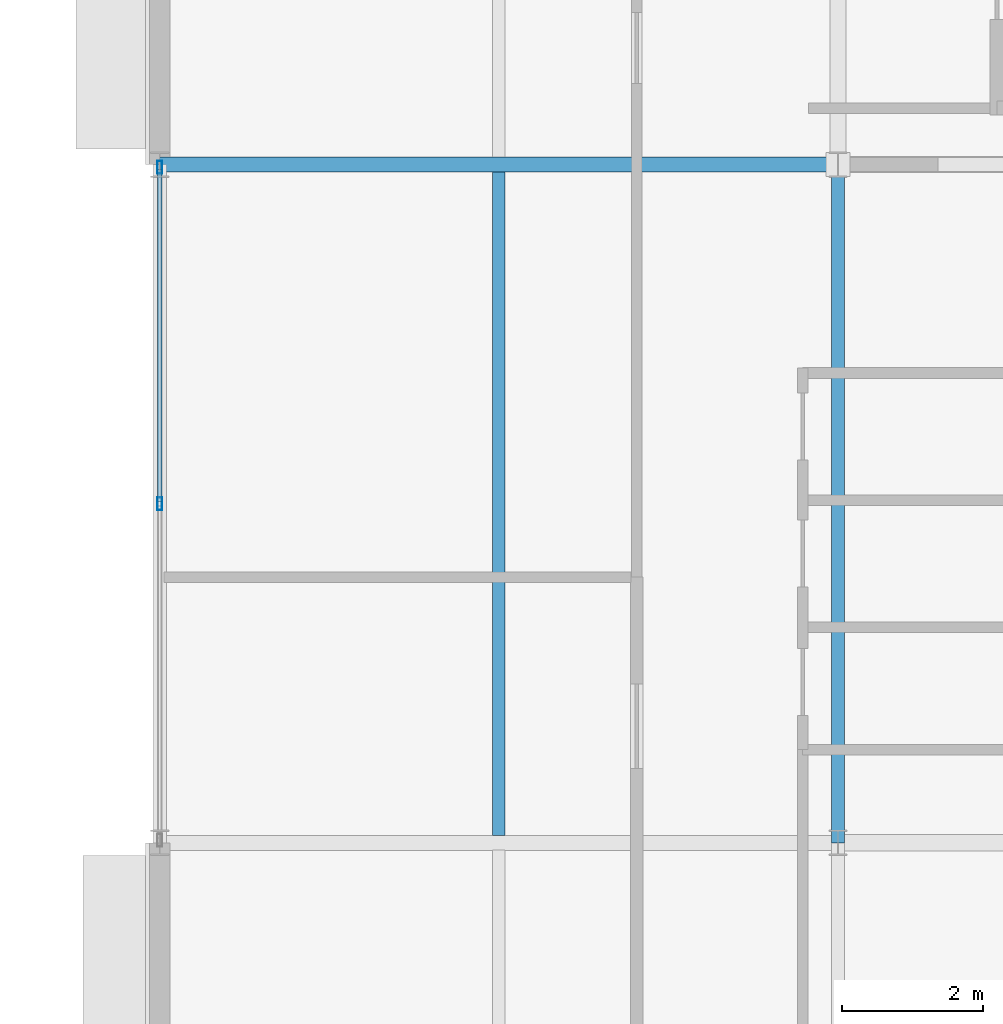
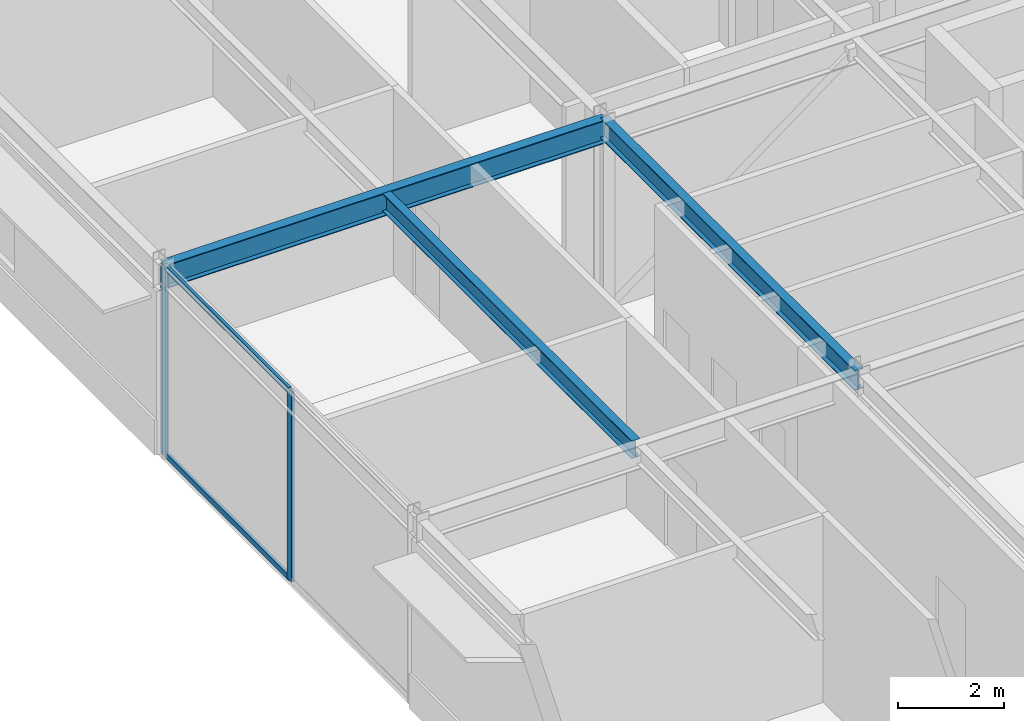
# One storey, part 7 of 22: 4 members, 3 beams, 1 element without a shape of its own.
"""IFC4 building model written with IfcOpenShell, lengths in metres."""

from ifc_helpers import new_model, si_unit, direction, frame, origin, origin_2d, place, context, subcontext, project, spatial, hollow_rectangle, i_section, extrude, material, material_profile, profile_set, type_object, element, aggregate, save


model = new_model("IFC4")

# Units and contexts
model_context = context("Model", 3, precision=1e-05, world=origin(), true_north=direction((0.0, 1.0)))
body_context = subcontext(model_context, "Body", "Model", "MODEL_VIEW")
ifc_project = project(units=[si_unit("LENGTHUNIT", "METRE"), si_unit("AREAUNIT", "SQUARE_METRE"), si_unit("VOLUMEUNIT", "CUBIC_METRE"), si_unit("PLANEANGLEUNIT", "RADIAN"), si_unit("MASSUNIT", "GRAM", prefix="KILO")], contexts=[model_context])

# Site, building, storey
site_placement = place(None, origin())
site = spatial("IfcSite", under=ifc_project, at=site_placement, CompositionType="ELEMENT")
building_placement = place(site_placement, origin())
building = spatial("IfcBuilding", under=site, at=building_placement, Name="Almandine Court Research Institute", CompositionType="ELEMENT")
storey_placement = place(building_placement, frame((0.0, 0.0, 28.0)))
storey = spatial("IfcBuildingStorey", under=building, at=storey_placement, Name="L06", CompositionType="ELEMENT", Elevation=28.0)

# Beams
ifc_material_1 = material(Name="Steel ASTM A992 Grade 50", Category="steel")
ifc_material_profile_1 = material_profile(ifc_material_1, i_section(OverallWidth=0.18994140625, OverallDepth=0.45703125, WebThickness=0.009033203125, FlangeThickness=0.014892578125, at=origin_2d()), Name="W460x74")
ifc_profile_set_1 = profile_set([ifc_material_profile_1], Name="Steel ASTM A992 Grade 50")
beam_type_1 = type_object("IfcBeamType", Name="Beam-B-01", PredefinedType="BEAM", material=ifc_profile_set_1)
beam_1_placement = place(storey_placement, frame((163.199951171875, 34.800048828125, 4.156982421875), z_axis=(0.0, 1.0, 0.0), x_axis=(-1.0, 0.0, 0.0)))
element("IfcBeam", 1, at=beam_1_placement, inside=storey, type_object=beam_type_1, Name="L06 V4 Primary Y Girder", PredefinedType="BEAM", context=body_context, shape_type="SweptSolid", body=[
    extrude(i_section(OverallWidth=0.18994140625, OverallDepth=0.45703125, WebThickness=0.009033203125, FlangeThickness=0.014892578125, at=origin_2d()), origin(), (0.0, 0.0, 1.0), 9.599853515625),
])
ifc_material_profile_2 = material_profile(ifc_material_1, i_section(OverallWidth=0.178955078125, OverallDepth=0.409912109375, WebThickness=0.009033203125, FlangeThickness=0.013916015625, at=origin_2d()), Name="W410x67")
ifc_profile_set_2 = profile_set([ifc_material_profile_2], Name="Steel ASTM A992 Grade 50")
beam_type_2 = type_object("IfcBeamType", Name="Beam-B-02", PredefinedType="JOIST", material=ifc_profile_set_2)
beam_2_placement = place(storey_placement, frame((158.39990234375, 34.903076171875, 4.179931640625), z_axis=(0.0, 1.0, 0.0), x_axis=(-1.0, 0.0, 0.0)))
element("IfcBeam", 2, at=beam_2_placement, inside=storey, type_object=beam_type_2, Name="L06 V4 Composite Secondary Beam", PredefinedType="JOIST", context=body_context, shape_type="SweptSolid", body=[
    extrude(i_section(OverallWidth=0.178955078125, OverallDepth=0.409912109375, WebThickness=0.009033203125, FlangeThickness=0.013916015625, at=origin_2d()), origin(), (0.0, 0.0, 1.0), 9.39404296875),
])
ifc_material_profile_3 = material_profile(ifc_material_1, i_section(OverallWidth=0.2109375, OverallDepth=0.5390625, WebThickness=0.011962890625, FlangeThickness=0.01904296875, at=origin_2d()), Name="W530x109")
ifc_profile_set_3 = profile_set([ifc_material_profile_3], Name="Steel ASTM A992 Grade 50")
beam_type_3 = type_object("IfcBeamType", Name="Beam-G-04", PredefinedType="BEAM", material=ifc_profile_set_3)
beam_3_placement = place(storey_placement, frame((153.60009765625, 44.39990234375, 4.114990234375), z_axis=(1.0, 0.0, 0.0), x_axis=(0.0, 1.0, 0.0)))
element("IfcBeam", 3, at=beam_3_placement, inside=storey, type_object=beam_type_3, Name="L06 V4 Primary X Girder", PredefinedType="BEAM", context=body_context, shape_type="SweptSolid", body=[
    extrude(i_section(OverallWidth=0.2109375, OverallDepth=0.5390625, WebThickness=0.011962890625, FlangeThickness=0.01904296875, at=origin_2d()), origin(), (0.0, 0.0, 1.0), 9.599853515625),
])

# Curtain wall, members
ifc_material_2 = material(Name="Unitised Curtain Wall Framing and Solar Glazing", Category="glass")
curtain_wall_type = type_object("IfcCurtainWallType", Name="CW-CWJ-02", PredefinedType="USERDEFINED", material=ifc_material_2)
curtain_wall_placement = place(storey_placement, origin())
curtain_wall = element("IfcCurtainWall", 4, at=curtain_wall_placement, inside=storey, type_object=curtain_wall_type, Name="L06 Wet Lab West Courtyard Jali Curtain Wall 4", ObjectType="SOLAR JALI SCREEN", PredefinedType="USERDEFINED")
ifc_material_3 = material(Name="Anodised Aluminium AW-6063-T6", Category="aluminium")
ifc_material_profile_4 = material_profile(ifc_material_3, hollow_rectangle(XDim=0.06494140625, YDim=0.179931640625, WallThickness=0.00390625, at=origin_2d()), Name="ALU RHS 65x180x4")
ifc_profile_set_4 = profile_set([ifc_material_profile_4], Name="Anodised Aluminium AW-6063-T6")
member_type_1 = type_object("IfcMemberType", Name="CWMul-65x180", PredefinedType="MULLION", material=ifc_profile_set_4)
member_1_placement = place(storey_placement, frame((153.60009765625, 39.60009765625, 0.0), z_axis=(0.0, 0.0, 1.0), x_axis=(-1.0, 0.0, 0.0)))
member_1 = element("IfcMember", 5, at=member_1_placement, type_object=member_type_1, Name="CWJ-02 mullion 2", PredefinedType="MULLION", context=body_context, shape_type="SweptSolid", body=[
    extrude(hollow_rectangle(XDim=0.06494140625, YDim=0.179931640625, WallThickness=0.00390625, at=origin_2d()), origin(), (0.0, 0.0, 1.0), 4.3701171875),
])
member_2_placement = place(storey_placement, frame((153.60009765625, 44.363525390625, 0.0), z_axis=(0.0, 0.0, 1.0), x_axis=(-1.0, 0.0, 0.0)))
member_2 = element("IfcMember", 6, at=member_2_placement, type_object=member_type_1, Name="CWJ-02 mullion 3", PredefinedType="MULLION", context=body_context, shape_type="SweptSolid", body=[
    extrude(hollow_rectangle(XDim=0.06494140625, YDim=0.179931640625, WallThickness=0.00390625, at=origin_2d()), origin(), (0.0, 0.0, 1.0), 4.3701171875),
])
ifc_material_profile_5 = material_profile(ifc_material_3, hollow_rectangle(XDim=0.06494140625, YDim=0.1298828125, WallThickness=0.00390625, at=origin_2d()), Name="ALU RHS 65x130x4")
ifc_profile_set_5 = profile_set([ifc_material_profile_5], Name="Anodised Aluminium AW-6063-T6")
member_type_2 = type_object("IfcMemberType", Name="CWTrn-65x130", PredefinedType="NOTDEFINED", material=ifc_profile_set_5)
member_3_placement = place(storey_placement, frame((153.60009765625, 39.632568359375, 0.032470703125), z_axis=(0.0, 1.0, 0.0), x_axis=(-1.0, 0.0, 0.0)))
member_3 = element("IfcMember", 7, at=member_3_placement, type_object=member_type_2, Name="CWJ-02 transom 2.1", ObjectType="TRANSOM", PredefinedType="USERDEFINED", context=body_context, shape_type="SweptSolid", body=[
    extrude(hollow_rectangle(XDim=0.06494140625, YDim=0.1298828125, WallThickness=0.00390625, at=origin_2d()), origin(), (0.0, 0.0, 1.0), 4.698486328125),
])
member_4_placement = place(storey_placement, frame((153.60009765625, 39.632568359375, 4.33740234375), z_axis=(0.0, 1.0, 0.0), x_axis=(-1.0, 0.0, 0.0)))
member_4 = element("IfcMember", 8, at=member_4_placement, type_object=member_type_2, Name="CWJ-02 transom 2.2", ObjectType="TRANSOM", PredefinedType="USERDEFINED", context=body_context, shape_type="SweptSolid", body=[
    extrude(hollow_rectangle(XDim=0.06494140625, YDim=0.1298828125, WallThickness=0.00390625, at=origin_2d()), origin(), (0.0, 0.0, 1.0), 4.698486328125),
])
aggregate(curtain_wall, [member_1, member_2, member_3, member_4])

save(model, "model.ifc")
